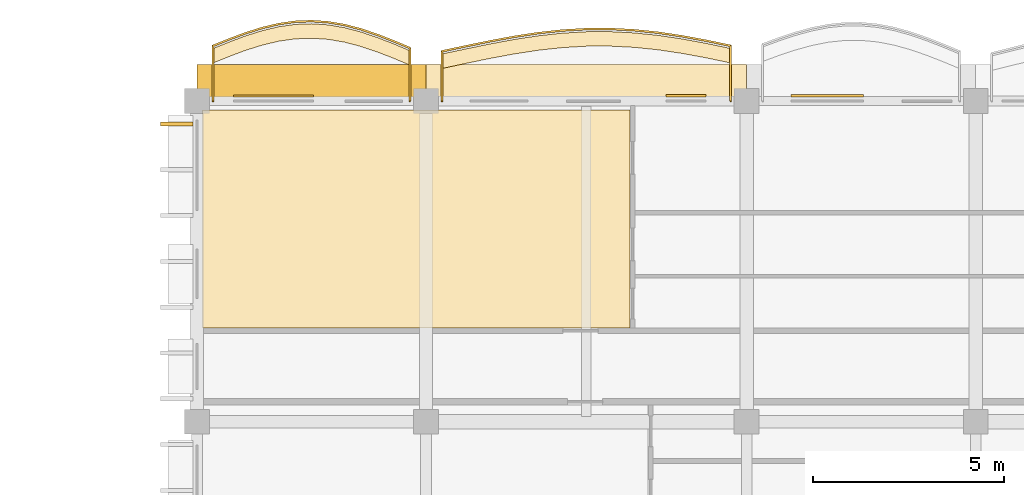
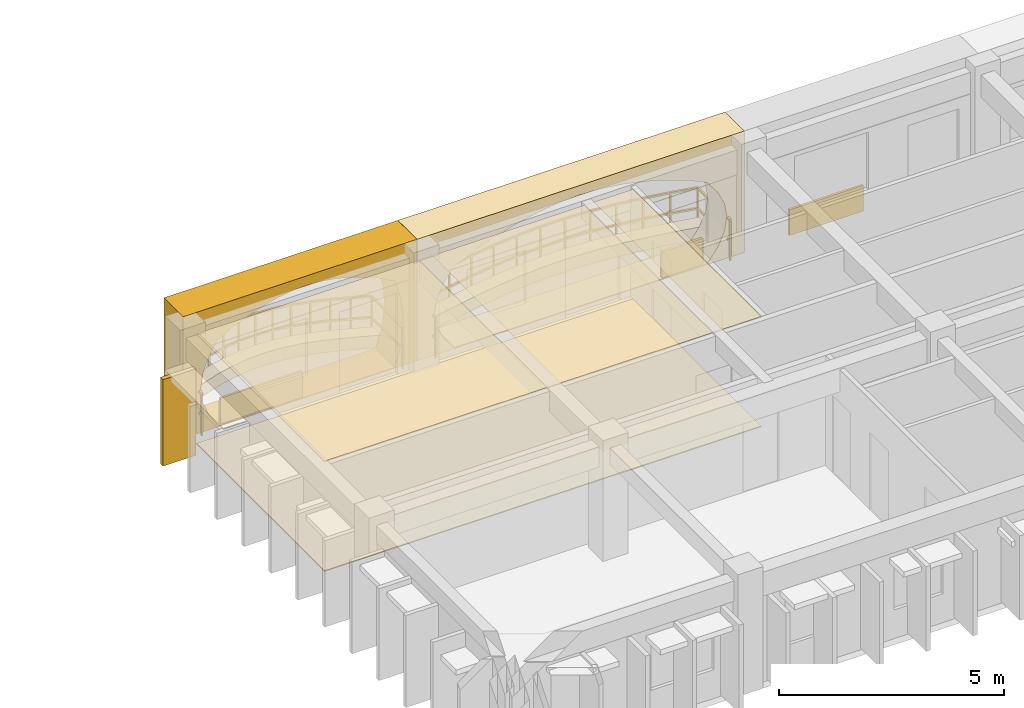
# One storey, part 85 of 101: 10 coverings, 2 railings.
"""IFC4 building model written with IfcOpenShell, lengths in metres."""

from ifc_helpers import new_model, si_unit, direction, frame, origin, origin_2d, place, context, subcontext, project, spatial, polyline, rectangle, outline, extrude, material, layer, layer_set, type_object, element, save


model = new_model("IFC4")

# Units and contexts
model_context = context("Model", 3, precision=1e-05, world=origin(), true_north=direction((0.0, 1.0)))
body_context = subcontext(model_context, "Body", "Model", "MODEL_VIEW")
ifc_project = project(units=[si_unit("LENGTHUNIT", "METRE"), si_unit("AREAUNIT", "SQUARE_METRE"), si_unit("VOLUMEUNIT", "CUBIC_METRE"), si_unit("PLANEANGLEUNIT", "RADIAN"), si_unit("MASSUNIT", "GRAM", prefix="KILO"), si_unit("THERMODYNAMICTEMPERATUREUNIT", "KELVIN")], contexts=[model_context])

# Site, building, storey
site_placement = place(None, origin())
site = spatial("IfcSite", under=ifc_project, at=site_placement, CompositionType="ELEMENT")
building_placement = place(site_placement, origin())
building = spatial("IfcBuilding", under=site, at=building_placement, Name="Thalorik Housing Commons", CompositionType="ELEMENT")
storey_placement = place(building_placement, frame((0.0, 0.0, 8.10009765625)))
storey = spatial("IfcBuildingStorey", under=building, at=storey_placement, Name="L02", CompositionType="ELEMENT", Elevation=8.10009765625)

# Coverings
ifc_material_1 = material(Name="Cobalt blue glazed ceramic facade tile panel", Category="masonry")
ifc_layer_1 = layer(ifc_material_1, 0.06005859375, Name="Cobalt blue glazed ceramic facade tile panel", Category="masonry")
ifc_layer_set_1 = layer_set([ifc_layer_1], Name="Cobalt blue glazed ceramic facade tile panel")
covering_type_1 = type_object("IfcCoveringType", Name="ARC-CLD-BLU-60", PredefinedType="CLADDING", material=ifc_layer_set_1)
covering_1_placement = place(storey_placement, frame((96.909912109375, 123.737548828125, 0.0498046875), z_axis=(0.0, 0.0, 1.0), x_axis=(-1.0, 0.0, 0.0)))
element("IfcCovering", 1, at=covering_1_placement, inside=storey, type_object=covering_type_1, Name="L02 De Stijl Recessed Window Spandrel 1675", PredefinedType="CLADDING", context=body_context, shape_type="SweptSolid", body=[
    extrude(rectangle(XDim=1.89990234375, YDim=0.06005859375, at=origin_2d()), origin(), (0.0, 0.0, 1.0), 0.699951171875),
])
ifc_material_2 = material(Name="Precast concrete C40/50", Category="concrete")
ifc_layer_2 = layer(ifc_material_2, 0.85009765625, Name="Precast concrete C40/50", Category="concrete")
ifc_layer_set_2 = layer_set([ifc_layer_2], Name="Precast concrete C40/50")
covering_type_2 = type_object("IfcCoveringType", Name="ARC-CLD-CUSH-850", PredefinedType="CLADDING", material=ifc_layer_set_2)
covering_2_placement = place(storey_placement, frame((90.60009765625, 124.12744140625, 0.0), z_axis=(0.0, 0.0, 1.0), x_axis=(-1.0, 0.0, 0.0)))
element("IfcCovering", 2, at=covering_2_placement, inside=storey, type_object=covering_type_2, Name="L02 White Precast Curved Cushion Bay Frame 1676", PredefinedType="CLADDING", context=body_context, shape_type="SweptSolid", body=[
    extrude(outline(polyline([(-4.199951171875, 0.0), (4.199951171875, 0.0), (4.199951171875, 3.300048828125), (-4.199951171875, 3.300048828125), (-4.199951171875, 0.0)]), holes=[polyline([(3.239990234375, 0.02490234375), (3.523193359375, 0.394287109375), (3.693359375, 0.76318359375), (3.75, 1.132568359375), (3.693359375, 1.501708984375), (3.523193359375, 1.870849609375), (3.239990234375, 2.239990234375), (2.699951171875, 2.4833984375), (2.159912109375, 2.6748046875), (1.6201171875, 2.82958984375), (1.080078125, 2.94482421875), (0.5400390625, 3.01611328125), (0.0, 3.0400390625), (-0.5400390625, 3.01611328125), (-1.080078125, 2.94482421875), (-1.6201171875, 2.82958984375), (-2.159912109375, 2.6748046875), (-2.699951171875, 2.4833984375), (-3.239990234375, 2.239990234375), (-3.523193359375, 1.870849609375), (-3.693359375, 1.501708984375), (-3.75, 1.132568359375), (-3.693359375, 0.76318359375), (-3.523193359375, 0.394287109375), (-3.239990234375, 0.02490234375), (3.239990234375, 0.02490234375)])]), frame((0.0, 0.425048828125, 0.0), z_axis=(0.0, -1.0, 0.0), x_axis=(1.0, 0.0, 0.0)), (0.0, 0.0, 1.0), 0.85009765625),
])
covering_3_placement = place(storey_placement, frame((83.39990234375, 124.12744140625, 0.0), z_axis=(0.0, 0.0, 1.0), x_axis=(-1.0, 0.0, 0.0)))
element("IfcCovering", 3, at=covering_3_placement, inside=storey, type_object=covering_type_2, Name="L02 White Precast Curved Cushion Bay Frame 1678", PredefinedType="CLADDING", context=body_context, shape_type="SweptSolid", body=[
    extrude(outline(polyline([(-3.0, 0.0), (3.0, 0.0), (3.0, 3.300048828125), (-3.0, 3.300048828125), (-3.0, 0.0)]), holes=[polyline([(2.090087890625, 0.02490234375), (2.345703125, 0.415771484375), (2.498779296875, 0.806640625), (2.550048828125, 1.197509765625), (2.498779296875, 1.58837890625), (2.345703125, 1.979248046875), (2.090087890625, 2.3701171875), (1.71337890625, 2.573974609375), (1.336669921875, 2.734130859375), (0.9599609375, 2.864013671875), (0.583251953125, 2.960205078125), (0.206787109375, 3.02001953125), (-0.169921875, 3.0400390625), (-0.546630859375, 3.02001953125), (-0.92333984375, 2.960205078125), (-1.300048828125, 2.864013671875), (-1.6767578125, 2.734130859375), (-2.05322265625, 2.573974609375), (-2.429931640625, 2.3701171875), (-2.55029296875, 1.979248046875), (-2.62255859375, 1.58837890625), (-2.646484375, 1.197509765625), (-2.62255859375, 0.806640625), (-2.55029296875, 0.415771484375), (-2.429931640625, 0.02490234375), (2.090087890625, 0.02490234375)])]), frame((0.0, 0.425048828125, 0.0), z_axis=(0.0, -1.0, 0.0), x_axis=(1.0, 0.0, 0.0)), (0.0, 0.0, 1.0), 0.85009765625),
])
ifc_layer_3 = layer(ifc_material_2, 0.85009765625, Name="Precast concrete C40/50", Category="concrete")
ifc_layer_set_3 = layer_set([ifc_layer_3], Name="Precast concrete C40/50")
covering_type_3 = type_object("IfcCoveringType", Name="ARC-CLD-FIN-850", PredefinedType="CLADDING", material=ifc_layer_set_3)
covering_4_placement = place(storey_placement, frame((79.87255859375, 123.0, 0.0400390625), z_axis=(0.0, 0.0, 1.0), x_axis=(0.0, -1.0, 0.0)))
element("IfcCovering", 4, at=covering_4_placement, inside=storey, type_object=covering_type_3, Name="L02 Courtyard Precast Vertical Brise-Soleil Fin 1680", PredefinedType="CLADDING", context=body_context, shape_type="SweptSolid", body=[
    extrude(rectangle(XDim=0.110107421875, YDim=0.85009765625, at=origin_2d()), origin(), (0.0, 0.0, 1.0), 2.344970703125),
])
ifc_material_3 = material(Name="Terracotta red mineral fibre-cement panel", Category="masonry")
ifc_layer_4 = layer(ifc_material_3, 0.054931640625, Name="Terracotta red mineral fibre-cement panel", Category="masonry")
ifc_layer_set_4 = layer_set([ifc_layer_4], Name="Terracotta red mineral fibre-cement panel")
covering_type_4 = type_object("IfcCoveringType", Name="ARC-CLD-RED-55", PredefinedType="CLADDING", material=ifc_layer_set_4)
covering_5_placement = place(storey_placement, frame((82.409912109375, 123.735107421875, 0.0498046875), z_axis=(0.0, 0.0, 1.0), x_axis=(-1.0, 0.0, 0.0)))
element("IfcCovering", 5, at=covering_5_placement, inside=storey, type_object=covering_type_4, Name="L02 De Stijl Recessed Window Spandrel 1679", PredefinedType="CLADDING", context=body_context, shape_type="SweptSolid", body=[
    extrude(rectangle(XDim=2.10009765625, YDim=0.054931640625, at=origin_2d()), origin(), (0.0, 0.0, 1.0), 0.699951171875),
])
ifc_material_4 = material(Name="Mineral ochre architectural terracotta panel", Category="masonry")
ifc_layer_5 = layer(ifc_material_4, 0.06494140625, Name="Mineral ochre architectural terracotta panel", Category="masonry")
ifc_layer_set_5 = layer_set([ifc_layer_5], Name="Mineral ochre architectural terracotta panel")
covering_type_5 = type_object("IfcCoveringType", Name="ARC-CLD-YEL-65", PredefinedType="CLADDING", material=ifc_layer_set_5)
covering_6_placement = place(storey_placement, frame((93.21337890625, 123.739990234375, 0.0498046875), z_axis=(0.0, 0.0, 1.0), x_axis=(-1.0, 0.0, 0.0)))
element("IfcCovering", 6, at=covering_6_placement, inside=storey, type_object=covering_type_5, Name="L02 De Stijl Recessed Window Spandrel 1677", PredefinedType="CLADDING", context=body_context, shape_type="SweptSolid", body=[
    extrude(rectangle(XDim=1.050048828125, YDim=0.06494140625, at=origin_2d()), origin(), (0.0, 0.0, 1.0), 0.699951171875),
])
ifc_material_5 = material(Name="Fire-rated calcium silicate corridor ceiling")
ifc_layer_6 = layer(ifc_material_5, 0.030029296875, Name="Fire-rated calcium silicate corridor ceiling")
ifc_layer_set_6 = layer_set([ifc_layer_6], Name="Fire-rated calcium silicate corridor ceiling")
covering_type_6 = type_object("IfcCoveringType", Name="ARC-COV-CEIL-05", PredefinedType="CEILING", material=ifc_layer_set_6)
covering_7_placement = place(storey_placement, frame((0.0, 0.0, 2.969970703125)))
element("IfcCovering", 7, at=covering_7_placement, inside=storey, type_object=covering_type_6, Name="L02 Living Dining Room Suspended Ceiling", PredefinedType="CEILING", context=body_context, shape_type="SweptSolid", body=[
    extrude(outline(polyline([(91.746826171875, 117.659912109375), (91.746826171875, 123.360107421875), (80.5400390625, 123.360107421875), (80.5400390625, 117.659912109375), (91.746826171875, 117.659912109375)])), origin(), (0.0, 0.0, 1.0), 0.030029296875),
])
ifc_material_6 = material(Name="Heavy-duty porcelain metro vestibule tile")
ifc_layer_7 = layer(ifc_material_6, 0.028076171875, Name="Heavy-duty porcelain metro vestibule tile")
ifc_layer_set_7 = layer_set([ifc_layer_7], Name="Heavy-duty porcelain metro vestibule tile")
covering_type_7 = type_object("IfcCoveringType", Name="ARC-COV-FLR-05", PredefinedType="FLOORING", material=ifc_layer_set_7)
covering_8_placement = place(storey_placement, origin())
element("IfcCovering", 8, at=covering_8_placement, inside=storey, type_object=covering_type_7, Name="L02 Living Dining Room Flooring", PredefinedType="FLOORING", context=body_context, shape_type="SweptSolid", body=[
    extrude(outline(polyline([(91.746826171875, 117.659912109375), (91.746826171875, 123.360107421875), (80.5400390625, 123.360107421875), (80.5400390625, 117.659912109375), (91.746826171875, 117.659912109375)])), origin(), (0.0, 0.0, 1.0), 0.02783203125),
])
ifc_material_7 = material(Name="Planted vegetated substrate and terracotta trough", Category="masonry")
ifc_layer_8 = layer(ifc_material_7, 0.340087890625, Name="Planted vegetated substrate and terracotta trough", Category="masonry")
ifc_layer_set_8 = layer_set([ifc_layer_8], Name="Planted vegetated substrate and terracotta trough")
covering_type_8 = type_object("IfcCoveringType", Name="ARC-COV-PLANTER", PredefinedType="USERDEFINED", material=ifc_layer_set_8)
covering_9_placement = place(storey_placement, origin())
element("IfcCovering", 9, at=covering_9_placement, inside=storey, type_object=covering_type_8, Name="L02 Balcony Slab-Edge Planted Trough 5417", ObjectType="PLANTER", PredefinedType="USERDEFINED", context=body_context, shape_type="SweptSolid", body=[
    extrude(outline(polyline([(85.97998046875, 124.920654296875), (85.550048828125, 125.1005859375), (85.1201171875, 125.26806640625), (84.68994140625, 125.41259765625), (84.260009765625, 125.524658203125), (83.830078125, 125.597412109375), (83.39990234375, 125.6259765625), (82.969970703125, 125.60888671875), (82.5400390625, 125.547119140625), (82.110107421875, 125.4453125), (81.679931640625, 125.31005859375), (81.25, 125.150146484375), (80.820068359375, 124.976318359375), (80.820068359375, 124.59619140625), (81.25, 124.770263671875), (81.679931640625, 124.93017578125), (82.110107421875, 125.0654296875), (82.5400390625, 125.167236328125), (82.969970703125, 125.228759765625), (83.39990234375, 125.245849609375), (83.830078125, 125.21728515625), (84.260009765625, 125.144775390625), (84.68994140625, 125.032470703125), (85.1201171875, 124.88818359375), (85.550048828125, 124.720458984375), (85.97998046875, 124.540771484375), (85.97998046875, 124.920654296875)])), origin(), (0.0, 0.0, 1.0), 0.33984375),
])
covering_10_placement = place(storey_placement, origin())
element("IfcCovering", 10, at=covering_10_placement, inside=storey, type_object=covering_type_8, Name="L02 Balcony Slab-Edge Planted Trough 5418", ObjectType="PLANTER", PredefinedType="USERDEFINED", context=body_context, shape_type="SweptSolid", body=[
    extrude(outline(polyline([(94.3798828125, 124.978515625), (93.75, 125.110107421875), (93.1201171875, 125.226806640625), (92.489990234375, 125.32080078125), (91.860107421875, 125.386474609375), (91.22998046875, 125.4189453125), (90.60009765625, 125.41650390625), (89.969970703125, 125.379638671875), (89.340087890625, 125.310791015625), (88.7099609375, 125.214599609375), (88.080078125, 125.09765625), (87.449951171875, 124.968017578125), (86.820068359375, 124.834228515625), (86.820068359375, 124.4541015625), (87.449951171875, 124.587890625), (88.080078125, 124.717529296875), (88.7099609375, 124.83447265625), (89.340087890625, 124.9306640625), (89.969970703125, 124.99951171875), (90.60009765625, 125.03662109375), (91.22998046875, 125.038818359375), (91.860107421875, 125.00634765625), (92.489990234375, 124.94091796875), (93.1201171875, 124.8466796875), (93.75, 124.72998046875), (94.3798828125, 124.5986328125), (94.3798828125, 124.978515625)])), origin(), (0.0, 0.0, 1.0), 0.33984375),
])

# Railings
ifc_material_8 = material(Name="Steel S355", Category="steel")
railing_type_1 = type_object("IfcRailingType", Name="ARC-RL-BAL-112", PredefinedType="BALUSTRADE", material=ifc_material_8)
railing_1_placement = place(storey_placement, frame((94.3798828125, 123.60009765625, 0.0)))
element("IfcRailing", 11, at=railing_1_placement, inside=storey, type_object=railing_type_1, Name="L02 Cushion Balcony Guardrail 102", PredefinedType="BALUSTRADE", context=body_context, shape_type="SweptSolid", body=[
    extrude(rectangle(XDim=0.050048828125, YDim=0.050048828125, at=origin_2d()), frame((0.0, 0.0, 1.09521484375), z_axis=(0.0, 1.0, 0.0), x_axis=(-1.0, 0.0, 0.0)), (0.0, 0.0, 1.0), 1.448486328125),
    extrude(rectangle(XDim=0.050048828125, YDim=0.050048828125, at=origin_2d()), frame((0.0, 0.0, 0.53515625), z_axis=(0.0, 1.0, 0.0), x_axis=(-1.0, 0.0, 0.0)), (0.0, 0.0, 1.0), 1.448486328125),
    extrude(rectangle(XDim=0.050048828125, YDim=0.050048828125, at=origin_2d()), frame((0.0, 1.448486328125, 1.09521484375), z_axis=(-0.978942522478, 0.204136076393, 0.0), x_axis=(-0.204136076393, -0.978942522478, 0.0)), (0.0, 0.0, 1.0), 0.643310546875),
    extrude(rectangle(XDim=0.050048828125, YDim=0.050048828125, at=origin_2d()), frame((0.0, 1.448486328125, 0.53515625), z_axis=(-0.978942522478, 0.204136076393, 0.0), x_axis=(-0.204136076393, -0.978942522478, 0.0)), (0.0, 0.0, 1.0), 0.643310546875),
    extrude(rectangle(XDim=0.050048828125, YDim=0.050048828125, at=origin_2d()), frame((-0.6298828125, 1.579833984375, 1.09521484375), z_axis=(-0.983266838, 0.182171142854, 0.0), x_axis=(-0.182171142854, -0.983266838, 0.0)), (0.0, 0.0, 1.0), 0.640625),
    extrude(rectangle(XDim=0.050048828125, YDim=0.050048828125, at=origin_2d()), frame((-0.6298828125, 1.579833984375, 0.53515625), z_axis=(-0.983266838, 0.182171142854, 0.0), x_axis=(-0.182171142854, -0.983266838, 0.0)), (0.0, 0.0, 1.0), 0.640625),
    extrude(rectangle(XDim=0.050048828125, YDim=0.050048828125, at=origin_2d()), frame((-1.259765625, 1.696533203125, 1.09521484375), z_axis=(-0.989000903893, 0.147909472647, 0.0), x_axis=(-0.147909472647, -0.989000903893, 0.0)), (0.0, 0.0, 1.0), 0.63720703125),
    extrude(rectangle(XDim=0.050048828125, YDim=0.050048828125, at=origin_2d()), frame((-1.259765625, 1.696533203125, 0.53515625), z_axis=(-0.989000903893, 0.147909472647, 0.0), x_axis=(-0.147909472647, -0.989000903893, 0.0)), (0.0, 0.0, 1.0), 0.63720703125),
    extrude(rectangle(XDim=0.050048828125, YDim=0.050048828125, at=origin_2d()), frame((-1.889892578125, 1.790771484375, 1.09521484375), z_axis=(-0.994648163406, 0.10332004178, 0.0), x_axis=(-0.10332004178, -0.994648163406, 0.0)), (0.0, 0.0, 1.0), 0.63330078125),
    extrude(rectangle(XDim=0.050048828125, YDim=0.050048828125, at=origin_2d()), frame((-1.889892578125, 1.790771484375, 0.53515625), z_axis=(-0.994648163406, 0.10332004178, 0.0), x_axis=(-0.10332004178, -0.994648163406, 0.0)), (0.0, 0.0, 1.0), 0.63330078125),
    extrude(rectangle(XDim=0.050048828125, YDim=0.050048828125, at=origin_2d()), frame((-2.519775390625, 1.856201171875, 1.09521484375), z_axis=(-0.998654986307, 0.05184803106, 0.0), x_axis=(-0.05184803106, -0.998654986307, 0.0)), (0.0, 0.0, 1.0), 0.630859375),
    extrude(rectangle(XDim=0.050048828125, YDim=0.050048828125, at=origin_2d()), frame((-2.519775390625, 1.856201171875, 0.53515625), z_axis=(-0.998654986307, 0.05184803106, 0.0), x_axis=(-0.05184803106, -0.998654986307, 0.0)), (0.0, 0.0, 1.0), 0.630859375),
    extrude(rectangle(XDim=0.050048828125, YDim=0.050048828125, at=origin_2d()), frame((-3.14990234375, 1.888916015625, 1.09521484375), z_axis=(-0.999992488517, -0.003875939878, 0.0), x_axis=(0.003875939878, -0.999992488517, 0.0)), (0.0, 0.0, 1.0), 0.6298828125),
    extrude(rectangle(XDim=0.050048828125, YDim=0.050048828125, at=origin_2d()), frame((-3.14990234375, 1.888916015625, 0.53515625), z_axis=(-0.999992488517, -0.003875939878, 0.0), x_axis=(0.003875939878, -0.999992488517, 0.0)), (0.0, 0.0, 1.0), 0.6298828125),
    extrude(rectangle(XDim=0.050048828125, YDim=0.050048828125, at=origin_2d()), frame((-3.77978515625, 1.886474609375, 1.09521484375), z_axis=(-0.998292995103, -0.058404588245, 0.0), x_axis=(0.058404588245, -0.998292995103, 0.0)), (0.0, 0.0, 1.0), 0.631103515625),
    extrude(rectangle(XDim=0.050048828125, YDim=0.050048828125, at=origin_2d()), frame((-3.77978515625, 1.886474609375, 0.53515625), z_axis=(-0.998292995103, -0.058404588245, 0.0), x_axis=(0.058404588245, -0.998292995103, 0.0)), (0.0, 0.0, 1.0), 0.631103515625),
    extrude(rectangle(XDim=0.050048828125, YDim=0.050048828125, at=origin_2d()), frame((-4.409912109375, 1.849609375, 1.09521484375), z_axis=(-0.9940378091, -0.109035930223, 0.0), x_axis=(0.109035930223, -0.9940378091, 0.0)), (0.0, 0.0, 1.0), 0.633544921875),
    extrude(rectangle(XDim=0.050048828125, YDim=0.050048828125, at=origin_2d()), frame((-4.409912109375, 1.849609375, 0.53515625), z_axis=(-0.9940378091, -0.109035930223, 0.0), x_axis=(0.109035930223, -0.9940378091, 0.0)), (0.0, 0.0, 1.0), 0.633544921875),
    extrude(rectangle(XDim=0.050048828125, YDim=0.050048828125, at=origin_2d()), frame((-5.039794921875, 1.780517578125, 1.09521484375), z_axis=(-0.988548141505, -0.150905837951, 0.0), x_axis=(0.150905837951, -0.988548141505, 0.0)), (0.0, 0.0, 1.0), 0.637451171875),
    extrude(rectangle(XDim=0.050048828125, YDim=0.050048828125, at=origin_2d()), frame((-5.039794921875, 1.780517578125, 0.53515625), z_axis=(-0.988548141505, -0.150905837951, 0.0), x_axis=(0.150905837951, -0.988548141505, 0.0)), (0.0, 0.0, 1.0), 0.637451171875),
    extrude(rectangle(XDim=0.050048828125, YDim=0.050048828125, at=origin_2d()), frame((-5.669921875, 1.684326171875, 1.09521484375), z_axis=(-0.983198507998, -0.182539567958, 0.0), x_axis=(0.182539567958, -0.983198507998, 0.0)), (0.0, 0.0, 1.0), 0.640625),
    extrude(rectangle(XDim=0.050048828125, YDim=0.050048828125, at=origin_2d()), frame((-5.669921875, 1.684326171875, 0.53515625), z_axis=(-0.983198507998, -0.182539567958, 0.0), x_axis=(0.182539567958, -0.983198507998, 0.0)), (0.0, 0.0, 1.0), 0.640625),
    extrude(rectangle(XDim=0.050048828125, YDim=0.050048828125, at=origin_2d()), frame((-6.2998046875, 1.5673828125, 1.09521484375), z_axis=(-0.97948569259, -0.201513716685, 0.0), x_axis=(0.201513716685, -0.97948569259, 0.0)), (0.0, 0.0, 1.0), 0.643310546875),
    extrude(rectangle(XDim=0.050048828125, YDim=0.050048828125, at=origin_2d()), frame((-6.2998046875, 1.5673828125, 0.53515625), z_axis=(-0.97948569259, -0.201513716685, 0.0), x_axis=(0.201513716685, -0.97948569259, 0.0)), (0.0, 0.0, 1.0), 0.643310546875),
    extrude(rectangle(XDim=0.050048828125, YDim=0.050048828125, at=origin_2d()), frame((-6.929931640625, 1.437744140625, 1.09521484375), z_axis=(-0.97825511098, -0.207405250274, 0.0), x_axis=(0.207405250274, -0.97825511098, 0.0)), (0.0, 0.0, 1.0), 0.643798828125),
    extrude(rectangle(XDim=0.050048828125, YDim=0.050048828125, at=origin_2d()), frame((-6.929931640625, 1.437744140625, 0.53515625), z_axis=(-0.97825511098, -0.207405250274, 0.0), x_axis=(0.207405250274, -0.97825511098, 0.0)), (0.0, 0.0, 1.0), 0.643798828125),
    extrude(rectangle(XDim=0.050048828125, YDim=0.050048828125, at=origin_2d()), frame((-7.559814453125, 1.30419921875, 1.09521484375), z_axis=(0.0, -1.0, 0.0), x_axis=(1.0, 0.0, 0.0)), (0.0, 0.0, 1.0), 1.30419921875),
    extrude(rectangle(XDim=0.050048828125, YDim=0.050048828125, at=origin_2d()), frame((-7.559814453125, 1.30419921875, 0.53515625), z_axis=(0.0, -1.0, 0.0), x_axis=(1.0, 0.0, 0.0)), (0.0, 0.0, 1.0), 1.30419921875),
    extrude(rectangle(XDim=0.0419921875, YDim=0.0419921875, at=origin_2d()), origin(), (0.0, 0.0, 1.0), 1.070068359375),
    extrude(rectangle(XDim=0.0419921875, YDim=0.0419921875, at=origin_2d()), frame((0.0, 1.448486328125, 0.0)), (0.0, 0.0, 1.0), 1.070068359375),
    extrude(rectangle(XDim=0.0419921875, YDim=0.0419921875, at=origin_2d()), frame((-0.6298828125, 1.579833984375, 0.0)), (0.0, 0.0, 1.0), 1.070068359375),
    extrude(rectangle(XDim=0.0419921875, YDim=0.0419921875, at=origin_2d()), frame((-1.259765625, 1.696533203125, 0.0)), (0.0, 0.0, 1.0), 1.070068359375),
    extrude(rectangle(XDim=0.0419921875, YDim=0.0419921875, at=origin_2d()), frame((-1.889892578125, 1.790771484375, 0.0)), (0.0, 0.0, 1.0), 1.070068359375),
    extrude(rectangle(XDim=0.0419921875, YDim=0.0419921875, at=origin_2d()), frame((-2.519775390625, 1.856201171875, 0.0)), (0.0, 0.0, 1.0), 1.070068359375),
    extrude(rectangle(XDim=0.0419921875, YDim=0.0419921875, at=origin_2d()), frame((-3.14990234375, 1.888916015625, 0.0)), (0.0, 0.0, 1.0), 1.070068359375),
    extrude(rectangle(XDim=0.0419921875, YDim=0.0419921875, at=origin_2d()), frame((-3.77978515625, 1.886474609375, 0.0)), (0.0, 0.0, 1.0), 1.070068359375),
    extrude(rectangle(XDim=0.0419921875, YDim=0.0419921875, at=origin_2d()), frame((-4.409912109375, 1.849609375, 0.0)), (0.0, 0.0, 1.0), 1.070068359375),
    extrude(rectangle(XDim=0.0419921875, YDim=0.0419921875, at=origin_2d()), frame((-5.039794921875, 1.780517578125, 0.0)), (0.0, 0.0, 1.0), 1.070068359375),
    extrude(rectangle(XDim=0.0419921875, YDim=0.0419921875, at=origin_2d()), frame((-5.669921875, 1.684326171875, 0.0)), (0.0, 0.0, 1.0), 1.070068359375),
    extrude(rectangle(XDim=0.0419921875, YDim=0.0419921875, at=origin_2d()), frame((-6.2998046875, 1.5673828125, 0.0)), (0.0, 0.0, 1.0), 1.070068359375),
    extrude(rectangle(XDim=0.0419921875, YDim=0.0419921875, at=origin_2d()), frame((-6.929931640625, 1.437744140625, 0.0)), (0.0, 0.0, 1.0), 1.070068359375),
    extrude(rectangle(XDim=0.0419921875, YDim=0.0419921875, at=origin_2d()), frame((-7.559814453125, 1.30419921875, 0.0)), (0.0, 0.0, 1.0), 1.070068359375),
    extrude(rectangle(XDim=0.0419921875, YDim=0.0419921875, at=origin_2d()), frame((-7.559814453125, 0.0, 0.0)), (0.0, 0.0, 1.0), 1.070068359375),
])
railing_type_2 = type_object("IfcRailingType", Name="ARC-RL-BAL-115", PredefinedType="BALUSTRADE", material=ifc_material_8)
railing_2_placement = place(storey_placement, frame((85.97998046875, 123.60009765625, 0.0)))
element("IfcRailing", 12, at=railing_2_placement, inside=storey, type_object=railing_type_2, Name="L02 Cushion Balcony Guardrail 101", PredefinedType="BALUSTRADE", context=body_context, shape_type="SweptSolid", body=[
    extrude(rectangle(XDim=0.050048828125, YDim=0.050048828125, at=origin_2d()), frame((0.0, 0.0, 1.125), z_axis=(0.0, 1.0, 0.0), x_axis=(-1.0, 0.0, 0.0)), (0.0, 0.0, 1.0), 1.390625),
    extrude(rectangle(XDim=0.050048828125, YDim=0.050048828125, at=origin_2d()), frame((0.0, 0.0, 0.5498046875), z_axis=(0.0, 1.0, 0.0), x_axis=(-1.0, 0.0, 0.0)), (0.0, 0.0, 1.0), 1.390625),
    extrude(rectangle(XDim=0.050048828125, YDim=0.050048828125, at=origin_2d()), frame((0.0, 1.390625, 1.125), z_axis=(-0.922657844822, 0.385619633043, 0.0), x_axis=(-0.385619633043, -0.922657844822, 0.0)), (0.0, 0.0, 1.0), 0.466064453125),
    extrude(rectangle(XDim=0.050048828125, YDim=0.050048828125, at=origin_2d()), frame((0.0, 1.390625, 0.5498046875), z_axis=(-0.922657844822, 0.385619633043, 0.0), x_axis=(-0.385619633043, -0.922657844822, 0.0)), (0.0, 0.0, 1.0), 0.466064453125),
    extrude(rectangle(XDim=0.050048828125, YDim=0.050048828125, at=origin_2d()), frame((-0.429931640625, 1.5703125, 1.125), z_axis=(-0.931616942852, 0.363441703429, 0.0), x_axis=(-0.363441703429, -0.931616942852, 0.0)), (0.0, 0.0, 1.0), 0.46142578125),
    extrude(rectangle(XDim=0.050048828125, YDim=0.050048828125, at=origin_2d()), frame((-0.429931640625, 1.5703125, 0.5498046875), z_axis=(-0.931616942852, 0.363441703429, 0.0), x_axis=(-0.363441703429, -0.931616942852, 0.0)), (0.0, 0.0, 1.0), 0.46142578125),
    extrude(rectangle(XDim=0.050048828125, YDim=0.050048828125, at=origin_2d()), frame((-0.85986328125, 1.738037109375, 1.125), z_axis=(-0.948089752806, 0.318002862604, 0.0), x_axis=(-0.318002862604, -0.948089752806, 0.0)), (0.0, 0.0, 1.0), 0.45361328125),
    extrude(rectangle(XDim=0.050048828125, YDim=0.050048828125, at=origin_2d()), frame((-0.85986328125, 1.738037109375, 0.5498046875), z_axis=(-0.948089752806, 0.318002862604, 0.0), x_axis=(-0.318002862604, -0.948089752806, 0.0)), (0.0, 0.0, 1.0), 0.45361328125),
    extrude(rectangle(XDim=0.050048828125, YDim=0.050048828125, at=origin_2d()), frame((-1.2900390625, 1.88232421875, 1.125), z_axis=(-0.967535537468, 0.252735006948, 0.0), x_axis=(-0.252735006948, -0.967535537468, 0.0)), (0.0, 0.0, 1.0), 0.4443359375),
    extrude(rectangle(XDim=0.050048828125, YDim=0.050048828125, at=origin_2d()), frame((-1.2900390625, 1.88232421875, 0.5498046875), z_axis=(-0.967535537468, 0.252735006948, 0.0), x_axis=(-0.252735006948, -0.967535537468, 0.0)), (0.0, 0.0, 1.0), 0.4443359375),
    extrude(rectangle(XDim=0.050048828125, YDim=0.050048828125, at=origin_2d()), frame((-1.719970703125, 1.99462890625, 1.125), z_axis=(-0.986074270485, 0.16630554136, 0.0), x_axis=(-0.16630554136, -0.986074270485, 0.0)), (0.0, 0.0, 1.0), 0.43603515625),
    extrude(rectangle(XDim=0.050048828125, YDim=0.050048828125, at=origin_2d()), frame((-1.719970703125, 1.99462890625, 0.5498046875), z_axis=(-0.986074270485, 0.16630554136, 0.0), x_axis=(-0.16630554136, -0.986074270485, 0.0)), (0.0, 0.0, 1.0), 0.43603515625),
    extrude(rectangle(XDim=0.050048828125, YDim=0.050048828125, at=origin_2d()), frame((-2.14990234375, 2.067138671875, 1.125), z_axis=(-0.997802663119, 0.066255908959, 0.0), x_axis=(-0.066255908959, -0.997802663119, 0.0)), (0.0, 0.0, 1.0), 0.43115234375),
    extrude(rectangle(XDim=0.050048828125, YDim=0.050048828125, at=origin_2d()), frame((-2.14990234375, 2.067138671875, 0.5498046875), z_axis=(-0.997802663119, 0.066255908959, 0.0), x_axis=(-0.066255908959, -0.997802663119, 0.0)), (0.0, 0.0, 1.0), 0.43115234375),
    extrude(rectangle(XDim=0.050048828125, YDim=0.050048828125, at=origin_2d()), frame((-2.580078125, 2.095703125, 1.125), z_axis=(-0.999210898113, -0.039718775053, 0.0), x_axis=(0.039718775053, -0.999210898113, 0.0)), (0.0, 0.0, 1.0), 0.43017578125),
    extrude(rectangle(XDim=0.050048828125, YDim=0.050048828125, at=origin_2d()), frame((-2.580078125, 2.095703125, 0.5498046875), z_axis=(-0.999210898113, -0.039718775053, 0.0), x_axis=(0.039718775053, -0.999210898113, 0.0)), (0.0, 0.0, 1.0), 0.43017578125),
    extrude(rectangle(XDim=0.050048828125, YDim=0.050048828125, at=origin_2d()), frame((-3.010009765625, 2.07861328125, 1.125), z_axis=(-0.989915737544, -0.141657447962, 0.0), x_axis=(0.141657447962, -0.989915737544, 0.0)), (0.0, 0.0, 1.0), 0.434326171875),
    extrude(rectangle(XDim=0.050048828125, YDim=0.050048828125, at=origin_2d()), frame((-3.010009765625, 2.07861328125, 0.5498046875), z_axis=(-0.989915737544, -0.141657447962, 0.0), x_axis=(0.141657447962, -0.989915737544, 0.0)), (0.0, 0.0, 1.0), 0.434326171875),
    extrude(rectangle(XDim=0.050048828125, YDim=0.050048828125, at=origin_2d()), frame((-3.43994140625, 2.01708984375, 1.125), z_axis=(-0.973090069964, -0.230425076192, 0.0), x_axis=(0.230425076192, -0.973090069964, 0.0)), (0.0, 0.0, 1.0), 0.44189453125),
    extrude(rectangle(XDim=0.050048828125, YDim=0.050048828125, at=origin_2d()), frame((-3.43994140625, 2.01708984375, 0.5498046875), z_axis=(-0.973090069964, -0.230425076192, 0.0), x_axis=(0.230425076192, -0.973090069964, 0.0)), (0.0, 0.0, 1.0), 0.44189453125),
    extrude(rectangle(XDim=0.050048828125, YDim=0.050048828125, at=origin_2d()), frame((-3.869873046875, 1.915283203125, 1.125), z_axis=(-0.953958313689, -0.299939220082, 0.0), x_axis=(0.299939220082, -0.953958313689, 0.0)), (0.0, 0.0, 1.0), 0.450927734375),
    extrude(rectangle(XDim=0.050048828125, YDim=0.050048828125, at=origin_2d()), frame((-3.869873046875, 1.915283203125, 0.5498046875), z_axis=(-0.953958313689, -0.299939220082, 0.0), x_axis=(0.299939220082, -0.953958313689, 0.0)), (0.0, 0.0, 1.0), 0.450927734375),
    extrude(rectangle(XDim=0.050048828125, YDim=0.050048828125, at=origin_2d()), frame((-4.300048828125, 1.780029296875, 1.125), z_axis=(-0.93726634386, -0.348614114269, 0.0), x_axis=(0.348614114269, -0.93726634386, 0.0)), (0.0, 0.0, 1.0), 0.458740234375),
    extrude(rectangle(XDim=0.050048828125, YDim=0.050048828125, at=origin_2d()), frame((-4.300048828125, 1.780029296875, 0.5498046875), z_axis=(-0.93726634386, -0.348614114269, 0.0), x_axis=(0.348614114269, -0.93726634386, 0.0)), (0.0, 0.0, 1.0), 0.458740234375),
    extrude(rectangle(XDim=0.050048828125, YDim=0.050048828125, at=origin_2d()), frame((-4.72998046875, 1.6201171875, 1.125), z_axis=(-0.927090603985, -0.374837314047, 0.0), x_axis=(0.374837314047, -0.927090603985, 0.0)), (0.0, 0.0, 1.0), 0.463623046875),
    extrude(rectangle(XDim=0.050048828125, YDim=0.050048828125, at=origin_2d()), frame((-4.72998046875, 1.6201171875, 0.5498046875), z_axis=(-0.927090603985, -0.374837314047, 0.0), x_axis=(0.374837314047, -0.927090603985, 0.0)), (0.0, 0.0, 1.0), 0.463623046875),
    extrude(rectangle(XDim=0.050048828125, YDim=0.050048828125, at=origin_2d()), frame((-5.159912109375, 1.4462890625, 1.125), z_axis=(0.0, -1.0, 0.0), x_axis=(1.0, 0.0, 0.0)), (0.0, 0.0, 1.0), 1.4462890625),
    extrude(rectangle(XDim=0.050048828125, YDim=0.050048828125, at=origin_2d()), frame((-5.159912109375, 1.4462890625, 0.5498046875), z_axis=(0.0, -1.0, 0.0), x_axis=(1.0, 0.0, 0.0)), (0.0, 0.0, 1.0), 1.4462890625),
    extrude(rectangle(XDim=0.0419921875, YDim=0.0419921875, at=origin_2d()), origin(), (0.0, 0.0, 1.0), 1.099853515625),
    extrude(rectangle(XDim=0.0419921875, YDim=0.0419921875, at=origin_2d()), frame((0.0, 1.390625, 0.0)), (0.0, 0.0, 1.0), 1.099853515625),
    extrude(rectangle(XDim=0.0419921875, YDim=0.0419921875, at=origin_2d()), frame((-0.429931640625, 1.5703125, 0.0)), (0.0, 0.0, 1.0), 1.099853515625),
    extrude(rectangle(XDim=0.0419921875, YDim=0.0419921875, at=origin_2d()), frame((-0.85986328125, 1.738037109375, 0.0)), (0.0, 0.0, 1.0), 1.099853515625),
    extrude(rectangle(XDim=0.0419921875, YDim=0.0419921875, at=origin_2d()), frame((-1.2900390625, 1.88232421875, 0.0)), (0.0, 0.0, 1.0), 1.099853515625),
    extrude(rectangle(XDim=0.0419921875, YDim=0.0419921875, at=origin_2d()), frame((-1.719970703125, 1.99462890625, 0.0)), (0.0, 0.0, 1.0), 1.099853515625),
    extrude(rectangle(XDim=0.0419921875, YDim=0.0419921875, at=origin_2d()), frame((-2.14990234375, 2.067138671875, 0.0)), (0.0, 0.0, 1.0), 1.099853515625),
    extrude(rectangle(XDim=0.0419921875, YDim=0.0419921875, at=origin_2d()), frame((-2.580078125, 2.095703125, 0.0)), (0.0, 0.0, 1.0), 1.099853515625),
    extrude(rectangle(XDim=0.0419921875, YDim=0.0419921875, at=origin_2d()), frame((-3.010009765625, 2.07861328125, 0.0)), (0.0, 0.0, 1.0), 1.099853515625),
    extrude(rectangle(XDim=0.0419921875, YDim=0.0419921875, at=origin_2d()), frame((-3.43994140625, 2.01708984375, 0.0)), (0.0, 0.0, 1.0), 1.099853515625),
    extrude(rectangle(XDim=0.0419921875, YDim=0.0419921875, at=origin_2d()), frame((-3.869873046875, 1.915283203125, 0.0)), (0.0, 0.0, 1.0), 1.099853515625),
    extrude(rectangle(XDim=0.0419921875, YDim=0.0419921875, at=origin_2d()), frame((-4.300048828125, 1.780029296875, 0.0)), (0.0, 0.0, 1.0), 1.099853515625),
    extrude(rectangle(XDim=0.0419921875, YDim=0.0419921875, at=origin_2d()), frame((-4.72998046875, 1.6201171875, 0.0)), (0.0, 0.0, 1.0), 1.099853515625),
    extrude(rectangle(XDim=0.0419921875, YDim=0.0419921875, at=origin_2d()), frame((-5.159912109375, 1.4462890625, 0.0)), (0.0, 0.0, 1.0), 1.099853515625),
    extrude(rectangle(XDim=0.0419921875, YDim=0.0419921875, at=origin_2d()), frame((-5.159912109375, 0.0, 0.0)), (0.0, 0.0, 1.0), 1.099853515625),
])

save(model, "model.ifc")
